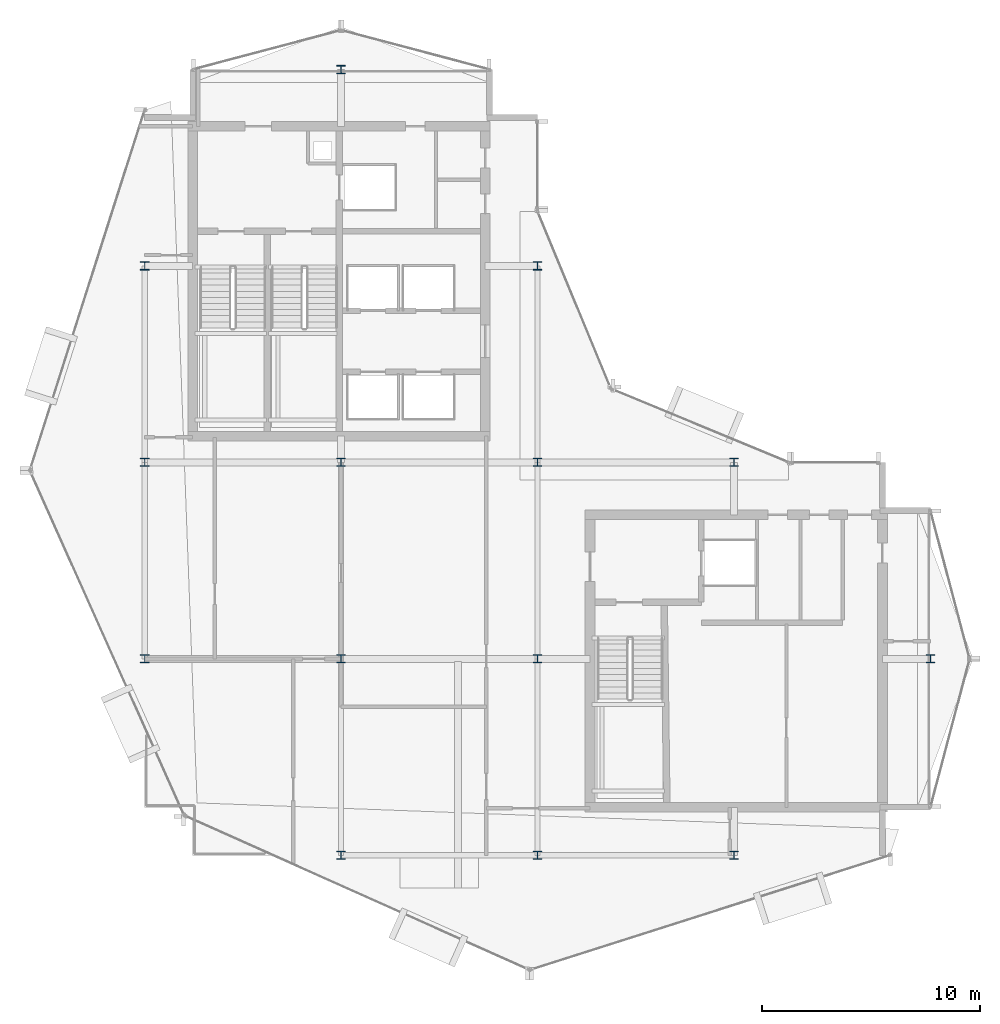
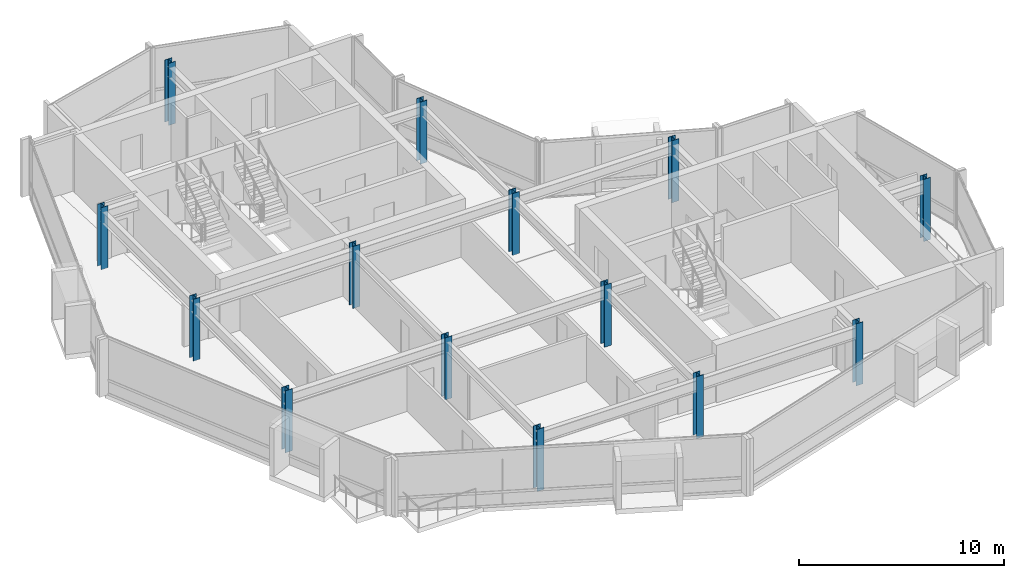
# One storey, part 1 of 19: 14 columns.
"""IFC4 building model written with IfcOpenShell, lengths in metres."""

from ifc_helpers import new_model, si_unit, direction, frame, origin, origin_2d, place, context, subcontext, project, spatial, i_section, extrude, material, material_profile, profile_set, type_object, element, save


model = new_model("IFC4")

# Units and contexts
model_context = context("Model", 3, precision=1e-05, world=origin(), true_north=direction((0.0, 1.0)))
body_context = subcontext(model_context, "Body", "Model", "MODEL_VIEW")
ifc_project = project(units=[si_unit("LENGTHUNIT", "METRE"), si_unit("AREAUNIT", "SQUARE_METRE"), si_unit("VOLUMEUNIT", "CUBIC_METRE"), si_unit("PLANEANGLEUNIT", "RADIAN"), si_unit("MASSUNIT", "GRAM", prefix="KILO")], contexts=[model_context])

# Site, building, storey
site_placement = place(None, origin())
site = spatial("IfcSite", under=ifc_project, at=site_placement, CompositionType="ELEMENT")
building_placement = place(site_placement, origin())
building = spatial("IfcBuilding", under=site, at=building_placement, Name="Solvaryn Broadcast Tower", CompositionType="ELEMENT")
storey_placement = place(building_placement, frame((0.0, 0.0, 266.699951171875)))
storey = spatial("IfcBuildingStorey", under=building, at=storey_placement, Name="L67", CompositionType="ELEMENT", Elevation=266.699951171875)

# Columns
ifc_material_1 = material(Name="Steel ASTM A913 Grade 65", Category="steel")
ifc_material_profile_1 = material_profile(ifc_material_1, i_section(OverallWidth=0.39404296875, OverallDepth=0.375, WebThickness=0.017333984375, FlangeThickness=0.027587890625, FilletRadius=0.014892578125, at=origin_2d()))
ifc_profile_set_1 = profile_set([ifc_material_profile_1], Name="Steel ASTM A913 Grade 65")
column_type_1 = type_object("IfcColumnType", Name="COL-C10E-W14X145", PredefinedType="COLUMN", material=ifc_profile_set_1)
for number, where, z_axis, x_axis, name in (
    (1, (9.0, 18.0, 0.0), (0.0, 0.0, 1.0), (1.0, 0.0, 0.0), "L67 Column (9.0, 18.0)"),
    (2, (9.0, 27.0, 0.0), (0.0, 0.0, 1.0), (1.0, 0.0, 0.0), "L67 Column (9.0, 27.0)"),
    (3, (9.0, 36.0, 0.0), (0.0, 0.0, 1.0), (1.0, 0.0, 0.0), "L67 Column (9.0, 36.0)"),
    (4, (18.0, 9.0, 0.0), (0.0, 0.0, 1.0), (1.0, 0.0, 0.0), "L67 Column (18.0, 9.0)"),
    (5, (18.0, 45.0, 0.0), (0.0, 0.0, 1.0), (1.0, 0.0, 0.0), "L67 Column (18.0, 45.0)"),
    (6, (27.0, 9.0, 0.0), (0.0, 0.0, 1.0), (1.0, 0.0, 0.0), "L67 Column (27.0, 9.0)"),
    (7, (27.0, 36.0, 0.0), (0.0, 0.0, 1.0), (1.0, 0.0, 0.0), "L67 Column (27.0, 36.0)"),
    (8, (36.0, 9.0, 0.0), (0.0, 0.0, 1.0), (1.0, 0.0, 0.0), "L67 Column (36.0, 9.0)"),
    (9, (36.0, 27.0, 0.0), (0.0, 0.0, 1.0), (1.0, 0.0, 0.0), "L67 Column (36.0, 27.0)"),
    (10, (45.0, 18.0, 0.0), (0.0, 0.0, 1.0), (1.0, 0.0, 0.0), "L67 Column (45.0, 18.0)"),
):
    element("IfcColumn", number, at=place(storey_placement, frame(where, z_axis=z_axis, x_axis=x_axis)), inside=storey, type_object=column_type_1, Name=name, PredefinedType="COLUMN", context=body_context, shape_type="SweptSolid", body=[
        extrude(i_section(OverallWidth=0.39404296875, OverallDepth=0.375, WebThickness=0.017333984375, FlangeThickness=0.027587890625, FilletRadius=0.014892578125, at=origin_2d()), origin(), (0.0, 0.0, 1.0), 3.699951171875),
    ])
ifc_material_2 = material(Name="Steel ASTM A913 Grade 65", Category="steel")
ifc_material_profile_2 = material_profile(ifc_material_2, i_section(OverallWidth=0.39404296875, OverallDepth=0.375, WebThickness=0.017333984375, FlangeThickness=0.027587890625, FilletRadius=0.014892578125, at=origin_2d()))
ifc_profile_set_2 = profile_set([ifc_material_profile_2], Name="Steel ASTM A913 Grade 65")
column_type_2 = type_object("IfcColumnType", Name="COL-C10I-W14X145", PredefinedType="COLUMN", material=ifc_profile_set_2)
for number, where, z_axis, x_axis, name in (
    (11, (18.0, 18.0, 0.0), (0.0, 0.0, 1.0), (1.0, 0.0, 0.0), "L67 Column (18.0, 18.0)"),
    (12, (18.0, 27.0, 0.0), (0.0, 0.0, 1.0), (1.0, 0.0, 0.0), "L67 Column (18.0, 27.0)"),
    (13, (27.0, 18.0, 0.0), (0.0, 0.0, 1.0), (1.0, 0.0, 0.0), "L67 Column (27.0, 18.0)"),
    (14, (27.0, 27.0, 0.0), (0.0, 0.0, 1.0), (1.0, 0.0, 0.0), "L67 Column (27.0, 27.0)"),
):
    element("IfcColumn", number, at=place(storey_placement, frame(where, z_axis=z_axis, x_axis=x_axis)), inside=storey, type_object=column_type_2, Name=name, PredefinedType="COLUMN", context=body_context, shape_type="SweptSolid", body=[
        extrude(i_section(OverallWidth=0.39404296875, OverallDepth=0.375, WebThickness=0.017333984375, FlangeThickness=0.027587890625, FilletRadius=0.014892578125, at=origin_2d()), origin(), (0.0, 0.0, 1.0), 3.699951171875),
    ])

save(model, "model.ifc")
